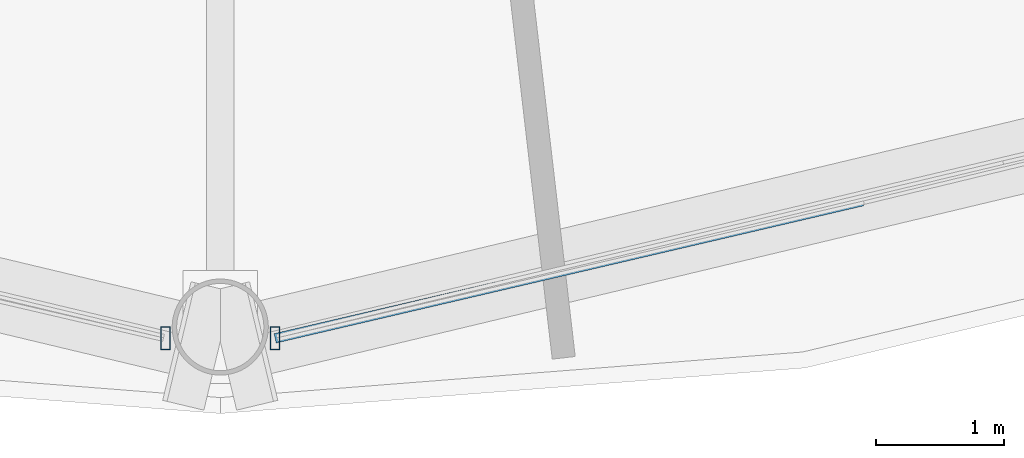
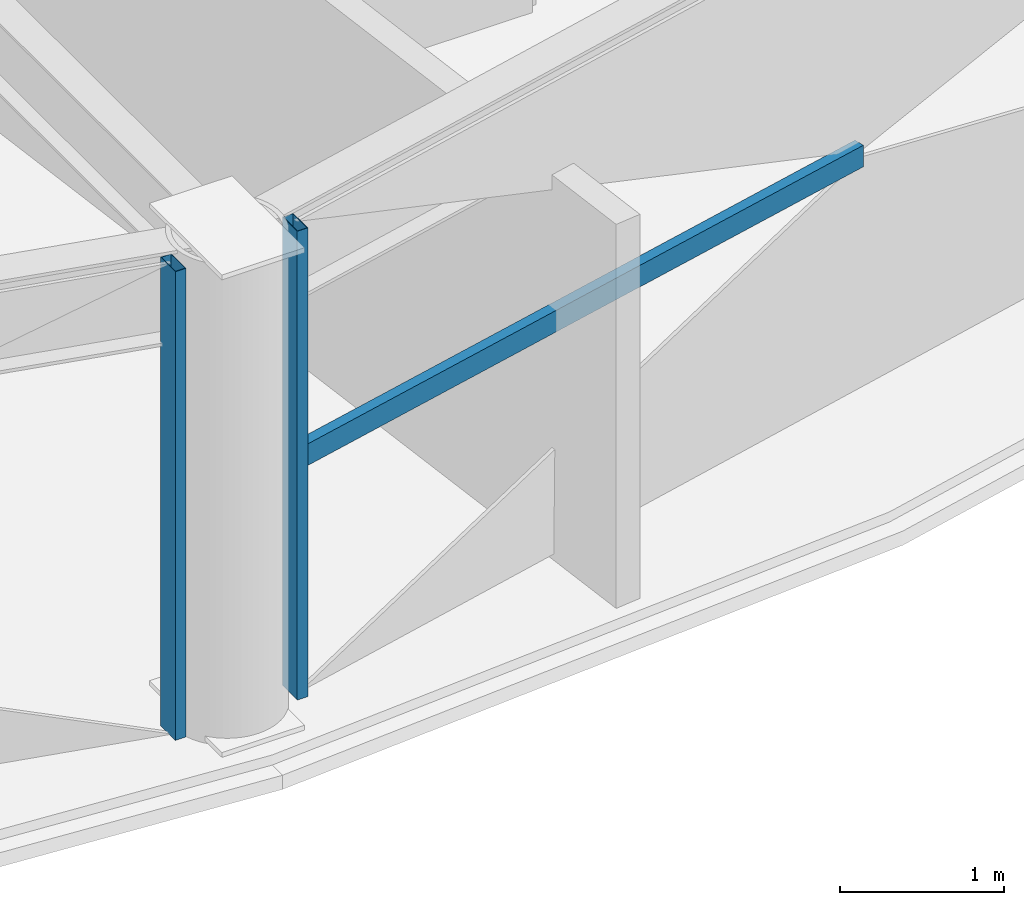
# One storey, part 4 of 32: 3 members, 2 elements without a shape of their own.
"""IFC4 building model written with IfcOpenShell, lengths in metres."""

from ifc_helpers import new_model, si_unit, direction, frame, origin, origin_2d, place, context, subcontext, project, spatial, hollow_rectangle, extrude, material, layer, layer_set, material_profile, profile_set, type_object, element, aggregate, save


model = new_model("IFC4")

# Units and contexts
model_context = context("Model", 3, precision=1e-05, world=origin(), true_north=direction((0.0, 1.0)))
body_context = subcontext(model_context, "Body", "Model", "MODEL_VIEW")
ifc_project = project(units=[si_unit("LENGTHUNIT", "METRE"), si_unit("AREAUNIT", "SQUARE_METRE"), si_unit("VOLUMEUNIT", "CUBIC_METRE"), si_unit("PLANEANGLEUNIT", "RADIAN"), si_unit("MASSUNIT", "GRAM", prefix="KILO")], contexts=[model_context])

# Site, building, storey
site_placement = place(None, origin())
site = spatial("IfcSite", under=ifc_project, at=site_placement, CompositionType="ELEMENT")
building_placement = place(site_placement, origin())
building = spatial("IfcBuilding", under=site, at=building_placement, Name="Vantalir Tower", CompositionType="ELEMENT")
storey_placement = place(building_placement, frame((0.0, 0.0, 104.699951171875)))
storey = spatial("IfcBuildingStorey", under=building, at=storey_placement, Name="L25", CompositionType="ELEMENT", Elevation=104.699951171875)

# Curtain wall, member
ifc_material_1 = material(Name="Champagne-silver PVDF aluminium and double-silver Low-E glass", Category="aluminium")
ifc_layer = layer(ifc_material_1, 0.199951171875)
ifc_layer_set = layer_set([ifc_layer], Name="Champagne-silver PVDF aluminium and double-silver Low-E glass")
curtain_wall_type = type_object("IfcCurtainWallType", Name="CW-DIAMOND-Z2", PredefinedType="USERDEFINED", material=ifc_layer_set)
curtain_wall_1_placement = place(storey_placement, origin())
curtain_wall_1 = element("IfcCurtainWall", 1, at=curtain_wall_1_placement, inside=storey, type_object=curtain_wall_type, Name="L25 Quilted Pyramid-Diamond Curtain Wall S09", ObjectType="UNITISED CURTAIN WALL", PredefinedType="USERDEFINED")
ifc_material_2 = material(Name="Champagne-silver PVDF aluminium 6063-T6", Category="aluminium")
ifc_material_profile_1 = material_profile(ifc_material_2, hollow_rectangle(XDim=0.074951171875, YDim=0.179931640625, WallThickness=0.00390625, at=origin_2d()), Name="Champagne-silver PVDF aluminium 6063-T6")
ifc_profile_set_1 = profile_set([ifc_material_profile_1], Name="Champagne-silver PVDF aluminium 6063-T6")
member_type_1 = type_object("IfcMemberType", Name="CWM-180x75", PredefinedType="MULLION", material=ifc_profile_set_1)
member_1_placement = place(storey_placement, frame((31.072021484375, 2.1240234375, 0.045166015625), z_axis=(0.0, 0.0, 1.0), x_axis=(1.0, 0.0, 0.0)))
member_1 = element("IfcMember", 2, at=member_1_placement, type_object=member_type_1, Name="CW-L25-S09 Mullion 2", PredefinedType="MULLION", context=body_context, shape_type="SweptSolid", body=[
    extrude(hollow_rectangle(XDim=0.074951171875, YDim=0.179931640625, WallThickness=0.00390625, at=origin_2d()), origin(), (0.0, 0.0, 1.0), 3.47998046875),
])
aggregate(curtain_wall_1, [member_1])

# Curtain wall, members
curtain_wall_2_placement = place(storey_placement, origin())
curtain_wall_2 = element("IfcCurtainWall", 3, at=curtain_wall_2_placement, inside=storey, type_object=curtain_wall_type, Name="L25 Quilted Pyramid-Diamond Curtain Wall S10", ObjectType="UNITISED CURTAIN WALL", PredefinedType="USERDEFINED")
member_2_placement = place(storey_placement, frame((31.927978515625, 2.1240234375, 0.045166015625), z_axis=(0.0, 0.0, 1.0), x_axis=(1.0, 0.0, 0.0)))
member_2 = element("IfcMember", 4, at=member_2_placement, type_object=member_type_1, Name="CW-L25-S10 Mullion 1", PredefinedType="MULLION", context=body_context, shape_type="SweptSolid", body=[
    extrude(hollow_rectangle(XDim=0.074951171875, YDim=0.179931640625, WallThickness=0.00390625, at=origin_2d()), origin(), (0.0, 0.0, 1.0), 3.47998046875),
])
ifc_material_profile_2 = material_profile(ifc_material_2, hollow_rectangle(XDim=0.074951171875, YDim=0.159912109375, WallThickness=0.00390625, at=origin_2d()), Name="Champagne-silver PVDF aluminium 6063-T6")
ifc_profile_set_2 = profile_set([ifc_material_profile_2], Name="Champagne-silver PVDF aluminium 6063-T6")
member_type_2 = type_object("IfcMemberType", Name="CWT-160x75", PredefinedType="USERDEFINED", material=ifc_profile_set_2)
member_3_placement = place(storey_placement, frame((31.927978515625, 2.1240234375, 1.78515625), z_axis=(0.973800591007, 0.227403625641, 0.0), x_axis=(-0.227403625641, 0.973800591007, 0.0)))
member_3 = element("IfcMember", 5, at=member_3_placement, type_object=member_type_2, Name="CW-L25-S10 Pyramid Fold Ridge Transom", ObjectType="TRANSOM", PredefinedType="USERDEFINED", context=body_context, shape_type="SweptSolid", body=[
    extrude(hollow_rectangle(XDim=0.074951171875, YDim=0.159912109375, WallThickness=0.00390625, at=origin_2d()), origin(), (0.0, 0.0, 1.0), 4.701416015625),
])
aggregate(curtain_wall_2, [member_2, member_3])

save(model, "model.ifc")
